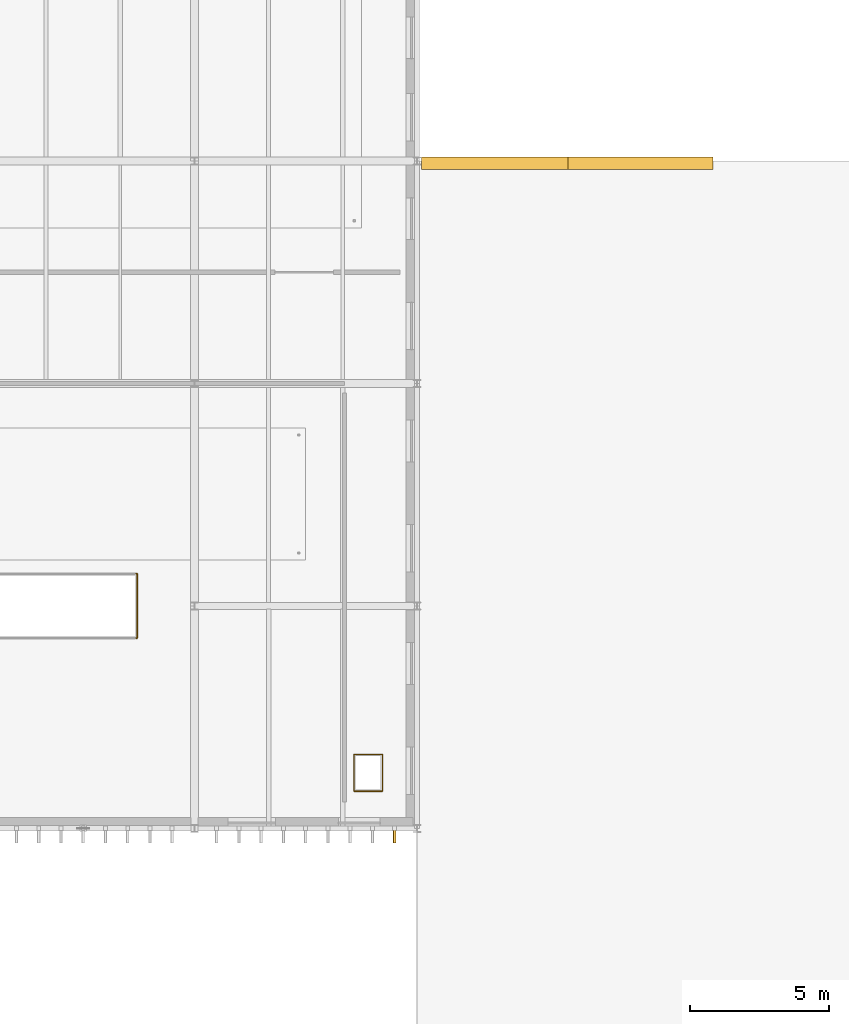
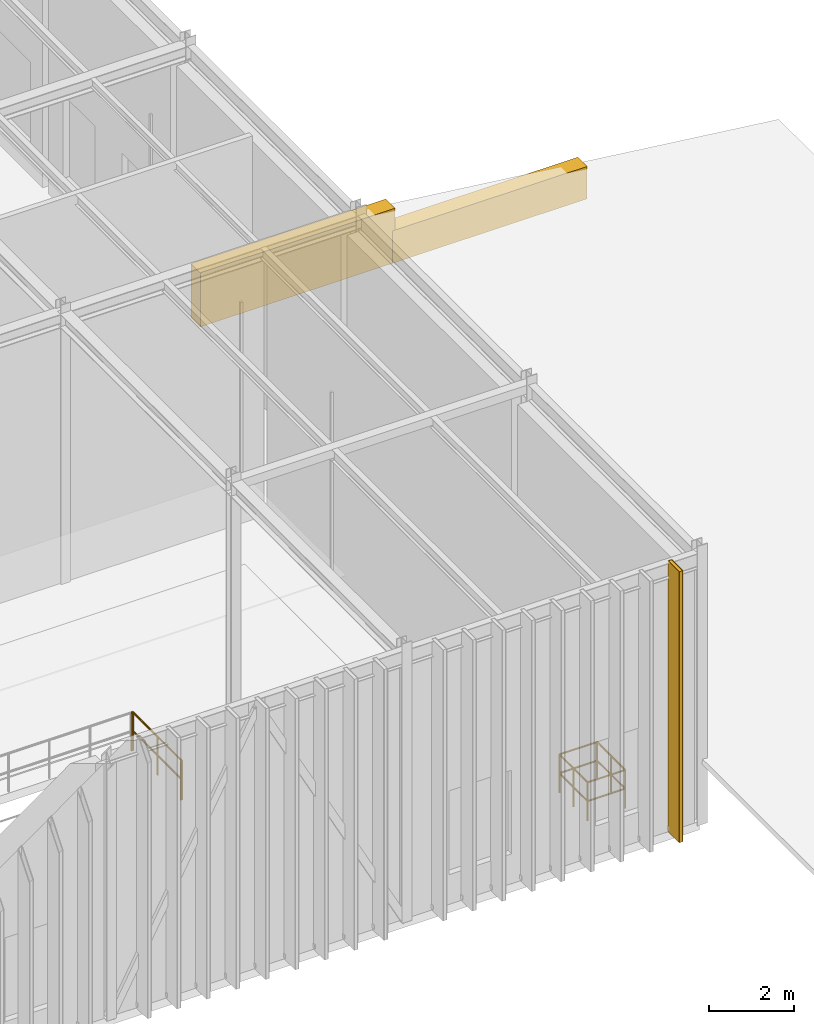
# One storey, part 133 of 138: 3 coverings, 2 railings, 1 shading device.
"""IFC4 building model written with IfcOpenShell, lengths in metres."""

from ifc_helpers import new_model, si_unit, direction, frame, origin, origin_2d, place, context, subcontext, project, spatial, rectangle, circle, extrude, material, layer, layer_set, type_object, element, save


model = new_model("IFC4")

# Units and contexts
model_context = context("Model", 3, precision=1e-05, world=origin(), true_north=direction((0.0, 1.0)))
body_context = subcontext(model_context, "Body", "Model", "MODEL_VIEW")
ifc_project = project(units=[si_unit("LENGTHUNIT", "METRE"), si_unit("AREAUNIT", "SQUARE_METRE"), si_unit("VOLUMEUNIT", "CUBIC_METRE"), si_unit("PLANEANGLEUNIT", "RADIAN"), si_unit("MASSUNIT", "GRAM", prefix="KILO")], contexts=[model_context])

# Site, building, storey
site_placement = place(None, origin())
site = spatial("IfcSite", under=ifc_project, at=site_placement, CompositionType="ELEMENT")
building_placement = place(site_placement, origin())
building = spatial("IfcBuilding", under=site, at=building_placement, Name="Sundkrona Museum", CompositionType="ELEMENT")
storey_placement = place(building_placement, frame((0.0, 0.0, 9.60009765625)))
storey = spatial("IfcBuildingStorey", under=building, at=storey_placement, Name="L02", CompositionType="ELEMENT", Elevation=9.60009765625)

# Coverings
ifc_material_1 = material(Name="Frost-Resistant Vitrified Stoneware Mosaic Cladding", Category="masonry")
ifc_layer_1 = layer(ifc_material_1, 0.044921875)
ifc_layer_set_1 = layer_set([ifc_layer_1], Name="Frost-Resistant Vitrified Stoneware Mosaic Cladding")
covering_type_1 = type_object("IfcCoveringType", Name="COV-CLD-MOS", PredefinedType="CLADDING", material=ifc_layer_set_1)
covering_1_placement = place(storey_placement, frame((79.199951171875, 77.7451171875, 0.0), z_axis=(0.0, 0.0, 1.0), x_axis=(1.0, 0.0, 0.0)))
element("IfcCovering", 1, at=covering_1_placement, inside=storey, type_object=covering_type_1, Name="L02 Vitrified Ceramic Brise-Soleil Casing S-108", PredefinedType="CLADDING", context=body_context, shape_type="SweptSolid", body=[
    extrude(rectangle(XDim=0.110107421875, YDim=0.530029296875, at=origin_2d()), origin(), (0.0, 0.0, 1.0), 7.760009765625),
])
ifc_material_2 = material(Name="Standing-Seam Patinated Copper Roofing", Category="other")
ifc_layer_2 = layer(ifc_material_2, 0.044921875)
ifc_layer_set_2 = layer_set([ifc_layer_2], Name="Standing-Seam Patinated Copper Roofing")
covering_type_2 = type_object("IfcCoveringType", Name="COV-RF-COP", PredefinedType="ROOFING", material=ifc_layer_set_2)
covering_2_placement = place(storey_placement, frame((82.800048828125, 101.919921875, -0.27001953125), z_axis=(0.0, 0.0, 1.0), x_axis=(1.0, 0.0, 0.0)))
element("IfcCovering", 2, at=covering_2_placement, inside=storey, type_object=covering_type_2, Name="Public Passage N Gable Cladding 1", PredefinedType="ROOFING", context=body_context, shape_type="SweptSolid", body=[
    extrude(rectangle(XDim=5.280029296875, YDim=0.43994140625, at=origin_2d()), origin(), (0.0, 0.0, 1.0), 1.552001953125),
])
covering_3_placement = place(storey_placement, frame((88.0, 101.919921875, -0.27001953125), z_axis=(0.0, 0.0, 1.0), x_axis=(1.0, 0.0, 0.0)))
element("IfcCovering", 3, at=covering_3_placement, inside=storey, type_object=covering_type_2, Name="Public Passage N Gable Cladding 2", PredefinedType="ROOFING", context=body_context, shape_type="SweptSolid", body=[
    extrude(rectangle(XDim=5.280029296875, YDim=0.43994140625, at=origin_2d()), origin(), (0.0, 0.0, 1.0), 0.927978515625),
])

# Shading device
ifc_material_3 = material(Name="Vitrified Stoneware Ceramic on Galvanised Steel Core", Category="masonry")
ifc_layer_3 = layer(ifc_material_3, 0.080078125)
ifc_layer_set_3 = layer_set([ifc_layer_3], Name="Vitrified Stoneware Ceramic on Galvanised Steel Core")
shading_device_type = type_object("IfcShadingDeviceType", Name="FIN-CER-520", PredefinedType="USERDEFINED", material=ifc_layer_set_3)
shading_device_placement = place(storey_placement, frame((79.199951171875, 77.739990234375, 0.0), z_axis=(0.0, 0.0, 1.0), x_axis=(1.0, 0.0, 0.0)))
element("IfcShadingDevice", 4, at=shading_device_placement, inside=storey, type_object=shading_device_type, Name="L02 Ceramic Brise-Soleil Fin S-108", ObjectType="SOLAR FIN", PredefinedType="USERDEFINED", context=body_context, shape_type="SweptSolid", body=[
    extrude(rectangle(XDim=0.080078125, YDim=0.52001953125, at=origin_2d()), origin(), (0.0, 0.0, 1.0), 7.760009765625),
])

# Railings
ifc_material_4 = material(Name="Painted Steel S355J2 and Laminated Glass Balustrade", Category="steel")
railing_type = type_object("IfcRailingType", Name="RL-GUARD-1100", PredefinedType="BALUSTRADE", material=ifc_material_4)
railing_1_placement = place(storey_placement, frame((69.89990234375, 84.840087890625, 0.0)))
element("IfcRailing", 5, at=railing_1_placement, inside=storey, type_object=railing_type, Name="L02 Edge Protection Balustrade 018", PredefinedType="BALUSTRADE", context=body_context, shape_type="SweptSolid", body=[
    extrude(circle(Radius=0.02392578125, at=origin_2d()), frame((0.0, 0.0, 1.09619140625), z_axis=(1.0, 0.0, 0.0), x_axis=(0.0, 1.0, 0.0)), (0.0, 0.0, 1.0), 0.0400390625),
    extrude(circle(Radius=0.02392578125, at=origin_2d()), frame((0.0, 0.0, 0.56005859375), z_axis=(1.0, 0.0, 0.0), x_axis=(0.0, 1.0, 0.0)), (0.0, 0.0, 1.0), 0.0400390625),
    extrude(circle(Radius=0.02392578125, at=origin_2d()), frame((0.0400390625, 0.0, 1.09619140625), z_axis=(0.0, 1.0, 0.0), x_axis=(-1.0, 0.0, 0.0)), (0.0, 0.0, 1.0), 2.31982421875),
    extrude(circle(Radius=0.02392578125, at=origin_2d()), frame((0.0400390625, 0.0, 0.56005859375), z_axis=(0.0, 1.0, 0.0), x_axis=(-1.0, 0.0, 0.0)), (0.0, 0.0, 1.0), 2.31982421875),
    extrude(circle(Radius=0.02392578125, at=origin_2d()), frame((0.0400390625, 2.31982421875, 1.09619140625), z_axis=(-1.0, 0.0, 0.0), x_axis=(0.0, -1.0, 0.0)), (0.0, 0.0, 1.0), 0.0400390625),
    extrude(circle(Radius=0.02392578125, at=origin_2d()), frame((0.0400390625, 2.31982421875, 0.56005859375), z_axis=(-1.0, 0.0, 0.0), x_axis=(0.0, -1.0, 0.0)), (0.0, 0.0, 1.0), 0.0400390625),
    extrude(circle(Radius=0.02099609375, at=origin_2d()), origin(), (0.0, 0.0, 1.0), 1.072021484375),
    extrude(circle(Radius=0.02099609375, at=origin_2d()), frame((0.0400390625, 0.0, 0.0)), (0.0, 0.0, 1.0), 1.072021484375),
    extrude(circle(Radius=0.02099609375, at=origin_2d()), frame((0.0400390625, 1.159912109375, 0.0)), (0.0, 0.0, 1.0), 1.072021484375),
    extrude(circle(Radius=0.02099609375, at=origin_2d()), frame((0.0400390625, 2.31982421875, 0.0)), (0.0, 0.0, 1.0), 1.072021484375),
    extrude(circle(Radius=0.02099609375, at=origin_2d()), frame((0.0, 2.31982421875, 0.0)), (0.0, 0.0, 1.0), 1.072021484375),
])
railing_2_placement = place(storey_placement, frame((77.739990234375, 79.340087890625, 0.0)))
element("IfcRailing", 6, at=railing_2_placement, inside=storey, type_object=railing_type, Name="L02 Edge Protection Balustrade 019", PredefinedType="BALUSTRADE", context=body_context, shape_type="SweptSolid", body=[
    extrude(circle(Radius=0.02392578125, at=origin_2d()), frame((0.0, 0.0, 1.09619140625), z_axis=(1.0, 0.0, 0.0), x_axis=(0.0, 1.0, 0.0)), (0.0, 0.0, 1.0), 1.02001953125),
    extrude(circle(Radius=0.02392578125, at=origin_2d()), frame((0.0, 0.0, 0.56005859375), z_axis=(1.0, 0.0, 0.0), x_axis=(0.0, 1.0, 0.0)), (0.0, 0.0, 1.0), 1.02001953125),
    extrude(circle(Radius=0.02392578125, at=origin_2d()), frame((1.02001953125, 0.0, 1.09619140625), z_axis=(0.0, 1.0, 0.0), x_axis=(-1.0, 0.0, 0.0)), (0.0, 0.0, 1.0), 1.31982421875),
    extrude(circle(Radius=0.02392578125, at=origin_2d()), frame((1.02001953125, 0.0, 0.56005859375), z_axis=(0.0, 1.0, 0.0), x_axis=(-1.0, 0.0, 0.0)), (0.0, 0.0, 1.0), 1.31982421875),
    extrude(circle(Radius=0.02392578125, at=origin_2d()), frame((1.02001953125, 1.31982421875, 1.09619140625), z_axis=(-1.0, 0.0, 0.0), x_axis=(0.0, -1.0, 0.0)), (0.0, 0.0, 1.0), 1.02001953125),
    extrude(circle(Radius=0.02392578125, at=origin_2d()), frame((1.02001953125, 1.31982421875, 0.56005859375), z_axis=(-1.0, 0.0, 0.0), x_axis=(0.0, -1.0, 0.0)), (0.0, 0.0, 1.0), 1.02001953125),
    extrude(circle(Radius=0.02392578125, at=origin_2d()), frame((0.0, 1.31982421875, 1.09619140625), z_axis=(0.0, -1.0, 0.0), x_axis=(1.0, 0.0, 0.0)), (0.0, 0.0, 1.0), 1.31982421875),
    extrude(circle(Radius=0.02392578125, at=origin_2d()), frame((0.0, 1.31982421875, 0.56005859375), z_axis=(0.0, -1.0, 0.0), x_axis=(1.0, 0.0, 0.0)), (0.0, 0.0, 1.0), 1.31982421875),
    extrude(circle(Radius=0.02099609375, at=origin_2d()), origin(), (0.0, 0.0, 1.0), 1.072021484375),
    extrude(circle(Radius=0.02099609375, at=origin_2d()), frame((1.02001953125, 0.0, 0.0)), (0.0, 0.0, 1.0), 1.072021484375),
    extrude(circle(Radius=0.02099609375, at=origin_2d()), frame((1.02001953125, 0.659912109375, 0.0)), (0.0, 0.0, 1.0), 1.072021484375),
    extrude(circle(Radius=0.02099609375, at=origin_2d()), frame((1.02001953125, 1.31982421875, 0.0)), (0.0, 0.0, 1.0), 1.072021484375),
    extrude(circle(Radius=0.02099609375, at=origin_2d()), frame((0.0, 1.31982421875, 0.0)), (0.0, 0.0, 1.0), 1.072021484375),
    extrude(circle(Radius=0.02099609375, at=origin_2d()), frame((0.0, 0.659912109375, 0.0)), (0.0, 0.0, 1.0), 1.072021484375),
])

save(model, "model.ifc")
